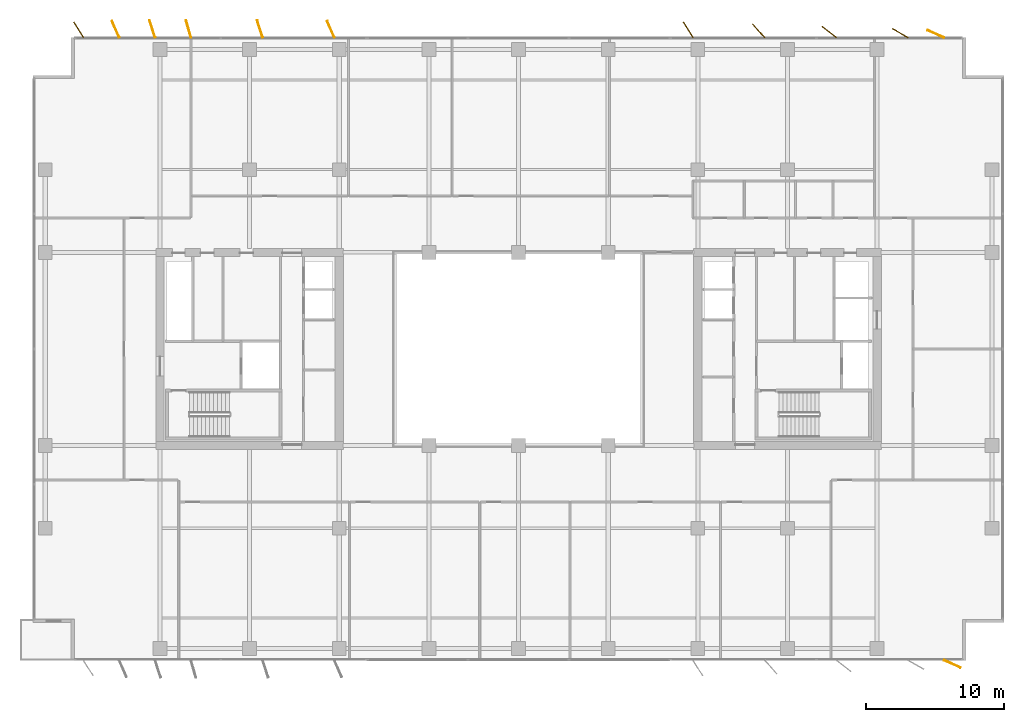
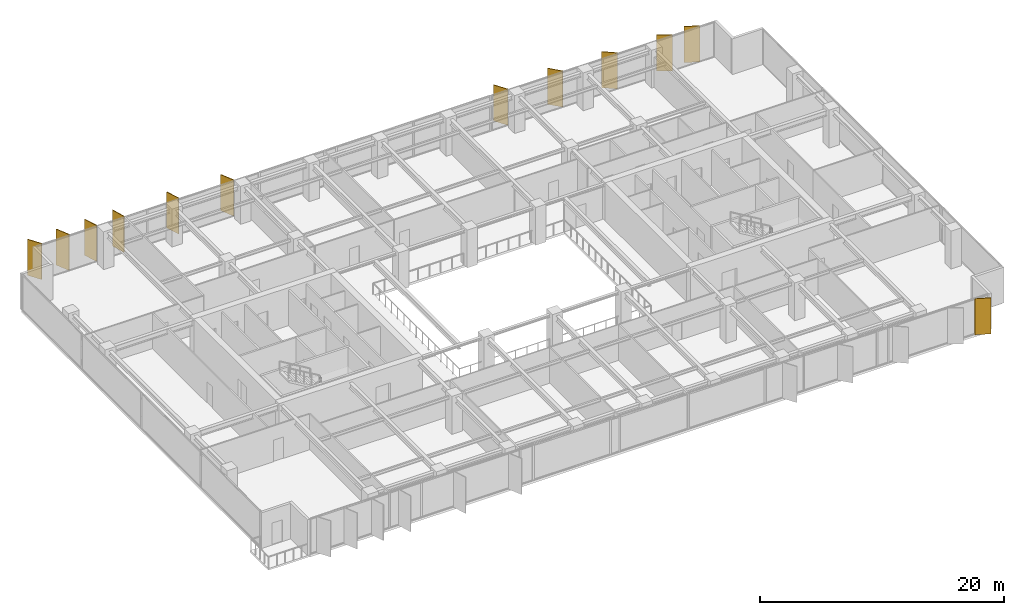
# One storey, part 22 of 22: 12 shading devices.
"""IFC4 building model written with IfcOpenShell, lengths in metres."""

from ifc_helpers import new_model, si_unit, direction, frame, origin, origin_2d, place, context, subcontext, project, spatial, rectangle, extrude, material, layer, layer_set, type_object, element, save


model = new_model("IFC4")

# Units and contexts
model_context = context("Model", 3, precision=1e-05, world=origin(), true_north=direction((0.0, 1.0)))
body_context = subcontext(model_context, "Body", "Model", "MODEL_VIEW")
ifc_project = project(units=[si_unit("LENGTHUNIT", "METRE"), si_unit("AREAUNIT", "SQUARE_METRE"), si_unit("VOLUMEUNIT", "CUBIC_METRE"), si_unit("PLANEANGLEUNIT", "RADIAN"), si_unit("MASSUNIT", "GRAM", prefix="KILO")], contexts=[model_context])

# Site, building, storey
site_placement = place(None, origin())
site = spatial("IfcSite", under=ifc_project, at=site_placement, CompositionType="ELEMENT")
building_placement = place(site_placement, origin())
building = spatial("IfcBuilding", under=site, at=building_placement, Name="Putna Gate Headquarters", CompositionType="ELEMENT")
storey_placement = place(building_placement, frame((0.0, 0.0, 163.199951171875)))
storey = spatial("IfcBuildingStorey", under=building, at=storey_placement, Name="L40", CompositionType="ELEMENT", Elevation=163.199951171875)

# Shading devices
ifc_material = material(Name="Anodised architectural bronze aluminium fin", Category="aluminium")
ifc_layer = layer(ifc_material, 0.06494140625)
ifc_layer_set = layer_set([ifc_layer], Name="Anodised architectural bronze aluminium fin")
shading_device_type = type_object("IfcShadingDeviceType", Name="SHADE-BRONZE-FIN-1320", PredefinedType="USERDEFINED", material=ifc_layer_set)
for number, where, z_axis, x_axis, name in (
    (1, (7.099853515625, 49.134521484375, -0.02001953125), (0.0, 0.0, 1.0), (-0.530659123936, 0.847585331506, 0.0), "L40 Bronze Vertical Shading Fin N1"),
    (2, (9.78564453125, 49.1796875, -0.02001953125), (0.0, 0.0, 1.0), (-0.400668879095, 0.916222925562, 0.0), "L40 Bronze Vertical Shading Fin N2"),
    (3, (12.4462890625, 49.202880859375, -0.02001953125), (0.0, 0.0, 1.0), (-0.308684994204, 0.951164325631, 0.0), "L40 Bronze Vertical Shading Fin N3"),
    (4, (15.068115234375, 49.20947265625, -0.02001953125), (0.0, 0.0, 1.0), (-0.275637355817, 0.961261695938, 0.0), "L40 Bronze Vertical Shading Fin N4"),
    (5, (20.246337890625, 49.202880859375, -0.02001953125), (0.0, 0.0, 1.0), (-0.308684994204, 0.951164325631, 0.0), "L40 Bronze Vertical Shading Fin N5"),
    (6, (25.385498046875, 49.1796875, -0.02001953125), (0.0, 0.0, 1.0), (-0.400668879095, 0.916222925562, 0.0), "L40 Bronze Vertical Shading Fin N6"),
    (7, (51.2998046875, 49.134521484375, -0.02001953125), (0.0, 0.0, 1.0), (-0.530659123936, 0.847585331506, 0.0), "L40 Bronze Vertical Shading Fin N7"),
    (8, (56.408447265625, 49.0654296875, -0.02001953125), (0.0, 0.0, 1.0), (-0.669130606359, 0.743144825477, 0.0), "L40 Bronze Vertical Shading Fin N8"),
    (9, (61.5302734375, 48.981689453125, -0.02001953125), (0.0, 0.0, 1.0), (-0.787473187632, 0.616348909921, 0.0), "L40 Bronze Vertical Shading Fin N9"),
    (10, (66.67626953125, 48.901123046875, -0.02001953125), (0.0, 0.0, 1.0), (-0.869322458298, 0.494245347472, 0.0), "L40 Bronze Vertical Shading Fin N10"),
    (11, (70.452880859375, 3.15673828125, -0.02001953125), (0.0, 0.0, 1.0), (0.913687379856, -0.40641773078, 0.0), "L40 Bronze Vertical Shading Fin S11"),
    (12, (69.2470703125, 48.84326171875, -0.02001953125), (0.0, 0.0, 1.0), (-0.913687379856, 0.40641773078, 0.0), "L40 Bronze Vertical Shading Fin N11"),
):
    element("IfcShadingDevice", number, at=place(storey_placement, frame(where, z_axis=z_axis, x_axis=x_axis)), inside=storey, type_object=shading_device_type, Name=name, ObjectType="FIN", PredefinedType="USERDEFINED", context=body_context, shape_type="SweptSolid", body=[
        extrude(rectangle(XDim=1.320068359375, YDim=0.06494140625, at=origin_2d()), origin(), (0.0, 0.0, 1.0), 3.612060546875),
    ])

save(model, "model.ifc")
